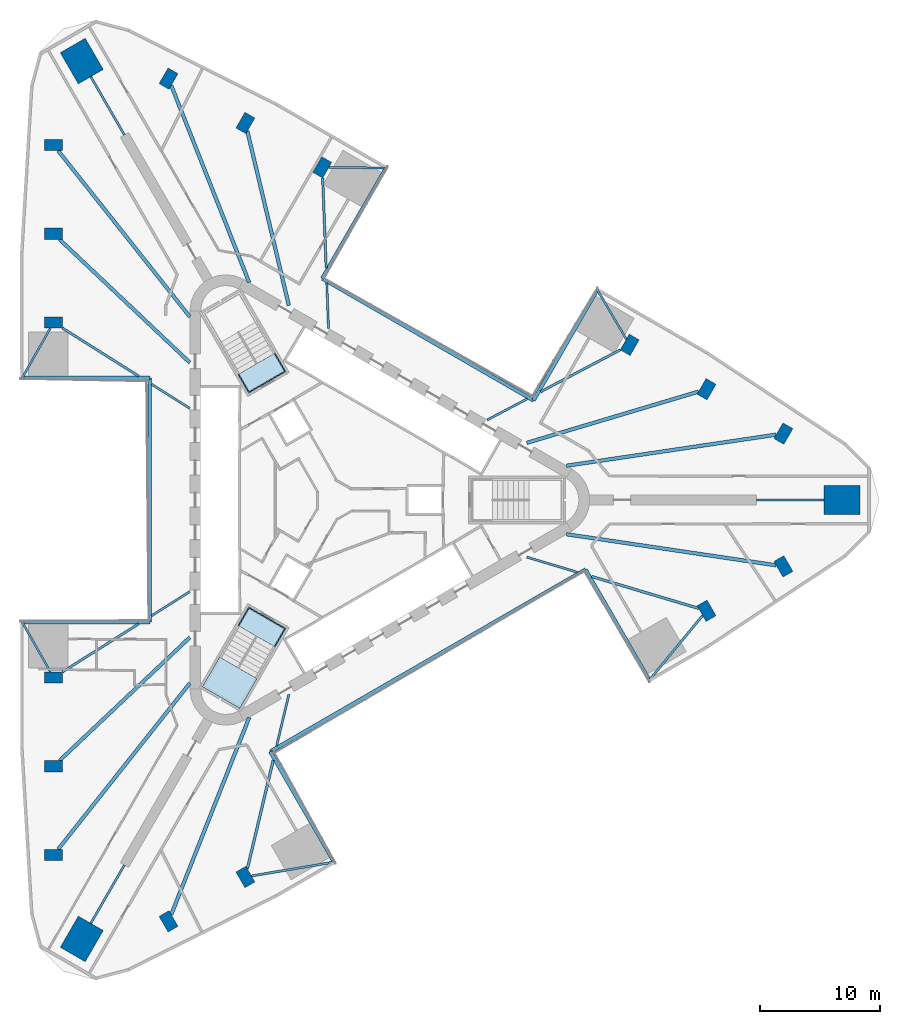
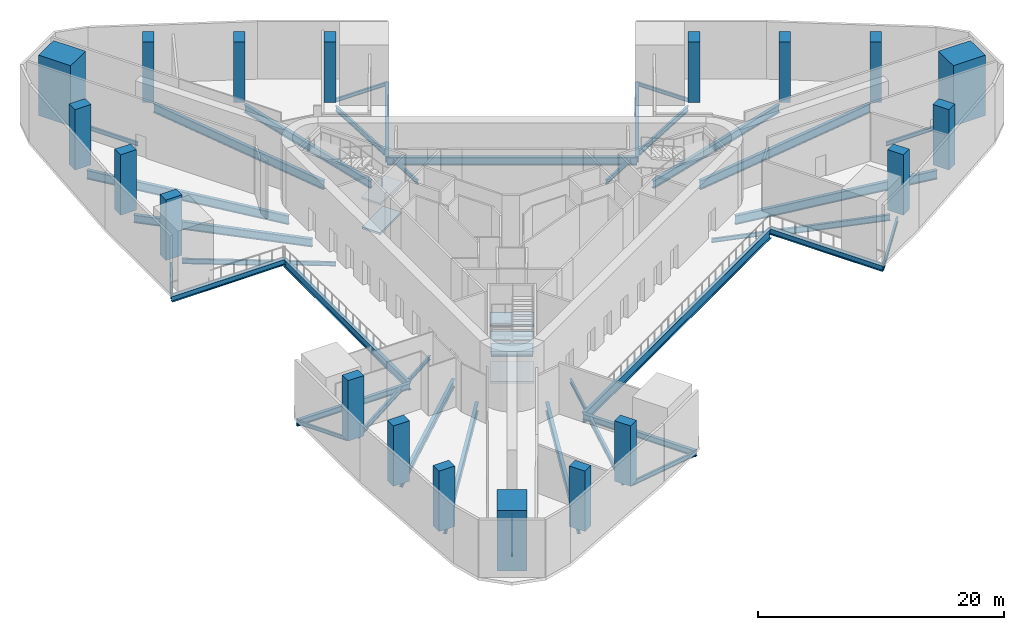
# One storey, part 1 of 11: 40 beams, 19 columns, 6 slabs, 2 elements without a shape of their own.
"""IFC4 building model written with IfcOpenShell, lengths in metres."""

from ifc_helpers import new_model, si_unit, direction, frame, origin, origin_2d, place, context, subcontext, project, spatial, polyline, rectangle, i_section, outline, extrude, material, layer, layer_set, material_profile, profile_set, type_object, element, aggregate, save


model = new_model("IFC4")

# Units and contexts
model_context = context("Model", 3, precision=1e-05, world=origin(), true_north=direction((0.0, 1.0)))
body_context = subcontext(model_context, "Body", "Model", "MODEL_VIEW")
ifc_project = project(units=[si_unit("LENGTHUNIT", "METRE"), si_unit("AREAUNIT", "SQUARE_METRE"), si_unit("VOLUMEUNIT", "CUBIC_METRE"), si_unit("PLANEANGLEUNIT", "RADIAN"), si_unit("MASSUNIT", "GRAM", prefix="KILO")], contexts=[model_context])

# Site, building, storey
site_placement = place(None, origin())
site = spatial("IfcSite", under=ifc_project, at=site_placement, CompositionType="ELEMENT")
building_placement = place(site_placement, origin())
building = spatial("IfcBuilding", under=site, at=building_placement, Name="Tanit Gate Tower", CompositionType="ELEMENT")
storey_placement = place(building_placement, frame((0.0, 0.0, 15.5)))
storey = spatial("IfcBuildingStorey", under=building, at=storey_placement, Name="L02", CompositionType="ELEMENT", Elevation=15.5)

# Columns
ifc_material_1 = material(Name="Concrete C80/95", Category="concrete")
ifc_material_profile_1 = material_profile(ifc_material_1, rectangle(XDim=3.0, YDim=2.39990234375, at=origin_2d()), Name="RC 3000x2400")
ifc_profile_set_1 = profile_set([ifc_material_profile_1], Name="Concrete C80/95")
column_type_1 = type_object("IfcColumnType", Name="MEGA COLUMN 3000x2400 C80/95", PredefinedType="COLUMN", material=ifc_profile_set_1)
for number, where, z_axis, x_axis, name in (
    (1, (42.211181640625, 0.0, 0.0), (0.0, 0.0, 1.0), (1.0, 0.0, 0.0), "MEGA COLUMN"),
    (2, (-21.105712890625, 36.555908203125, 0.0), (0.0, 0.0, 1.0), (-0.5, 0.866025403784, 0.0), "MEGA COLUMN"),
    (3, (-21.105712890625, -36.555908203125, 0.0), (0.0, 0.0, 1.0), (-0.5, -0.866025403784, 0.0), "MEGA COLUMN"),
):
    element("IfcColumn", number, at=place(storey_placement, frame(where, z_axis=z_axis, x_axis=x_axis)), inside=storey, type_object=column_type_1, Name=name, PredefinedType="COLUMN", context=body_context, shape_type="SweptSolid", body=[
        extrude(rectangle(XDim=3.0, YDim=2.39990234375, at=origin_2d()), origin(), (0.0, 0.0, 1.0), 6.0),
    ])
ifc_material_2 = material(Name="Concrete C70/85", Category="concrete")
ifc_material_profile_2 = material_profile(ifc_material_2, rectangle(XDim=1.5, YDim=0.949951171875, at=origin_2d()), Name="RC 1500x950")
ifc_profile_set_2 = profile_set([ifc_material_profile_2], Name="Concrete C70/85")
column_type_2 = type_object("IfcColumnType", Name="PERIMETER COLUMN 1500x950 C70/85", PredefinedType="COLUMN", material=ifc_profile_set_2)
for number, where, z_axis, x_axis, name in (
    (4, (-23.453369140625, 29.56591796875, 0.0), (0.0, 0.0, 1.0), (-1.0, 0.0, 0.0), "PERIMETER COLUMN"),
    (5, (-23.453369140625, 22.17431640625, 0.0), (0.0, 0.0, 1.0), (-1.0, 0.0, 0.0), "PERIMETER COLUMN"),
    (6, (-23.453369140625, 14.782958984375, 0.0), (0.0, 0.0, 1.0), (-1.0, 0.0, 0.0), "PERIMETER COLUMN"),
    (7, (-23.453369140625, -14.782958984375, 0.0), (0.0, 0.0, 1.0), (-1.0, 0.0, 0.0), "PERIMETER COLUMN"),
    (8, (-23.453369140625, -22.17431640625, 0.0), (0.0, 0.0, 1.0), (-1.0, 0.0, 0.0), "PERIMETER COLUMN"),
    (9, (-23.453369140625, -29.56591796875, 0.0), (0.0, 0.0, 1.0), (-1.0, 0.0, 0.0), "PERIMETER COLUMN"),
    (10, (37.331298828125, 5.5283203125, 0.0), (0.0, 0.0, 1.0), (0.5, 0.866025403784, 0.0), "PERIMETER COLUMN"),
    (11, (30.930419921875, 9.22412109375, 0.0), (0.0, 0.0, 1.0), (0.5, 0.866025403784, 0.0), "PERIMETER COLUMN"),
    (12, (24.529052734375, 12.919921875, 0.0), (0.0, 0.0, 1.0), (0.5, 0.866025403784, 0.0), "PERIMETER COLUMN"),
    (13, (-1.07568359375, 27.70263671875, 0.0), (0.0, 0.0, 1.0), (0.5, 0.866025403784, 0.0), "PERIMETER COLUMN"),
    (14, (-7.476806640625, 31.3984375, 0.0), (0.0, 0.0, 1.0), (0.5, 0.866025403784, 0.0), "PERIMETER COLUMN"),
    (15, (-13.8779296875, 35.093994140625, 0.0), (0.0, 0.0, 1.0), (0.5, 0.866025403784, 0.0), "PERIMETER COLUMN"),
    (16, (-13.8779296875, -35.093994140625, 0.0), (0.0, 0.0, 1.0), (0.5, -0.866025403784, 0.0), "PERIMETER COLUMN"),
    (17, (-7.476806640625, -31.3984375, 0.0), (0.0, 0.0, 1.0), (0.5, -0.866025403784, 0.0), "PERIMETER COLUMN"),
    (18, (30.930419921875, -9.22412109375, 0.0), (0.0, 0.0, 1.0), (0.5, -0.866025403784, 0.0), "PERIMETER COLUMN"),
    (19, (37.331298828125, -5.5283203125, 0.0), (0.0, 0.0, 1.0), (0.5, -0.866025403784, 0.0), "PERIMETER COLUMN"),
):
    element("IfcColumn", number, at=place(storey_placement, frame(where, z_axis=z_axis, x_axis=x_axis)), inside=storey, type_object=column_type_2, Name=name, PredefinedType="COLUMN", context=body_context, shape_type="SweptSolid", body=[
        extrude(rectangle(XDim=1.5, YDim=0.949951171875, at=origin_2d()), origin(), (0.0, 0.0, 1.0), 6.0),
    ])

# Beams
ifc_material_3 = material(Name="Steel S355", Category="steel")
ifc_material_profile_3 = material_profile(ifc_material_3, i_section(OverallWidth=0.300048828125, OverallDepth=0.590087890625, WebThickness=0.012939453125, FlangeThickness=0.02490234375, FilletRadius=0.027099609375, at=origin_2d()), Name="HEA 600")
ifc_profile_set_3 = profile_set([ifc_material_profile_3], Name="Steel S355")
beam_type_1 = type_object("IfcBeamType", Name="EDGE BEAM HEA 600 S355", PredefinedType="BEAM", material=ifc_profile_set_3)
beam_1_placement = place(storey_placement, frame((26.16259765625, -14.9951171875, -0.594970703125), z_axis=(-0.500000853759, 0.866024910866, 0.0), x_axis=(-0.866024910866, -0.500000853759, 0.0)))
element("IfcBeam", 20, at=beam_1_placement, inside=storey, type_object=beam_type_1, Name="EDGE BEAM", PredefinedType="BEAM", context=body_context, shape_type="SweptSolid", body=[
    extrude(i_section(OverallWidth=0.300048828125, OverallDepth=0.590087890625, WebThickness=0.012939453125, FlangeThickness=0.02490234375, FilletRadius=0.027099609375, at=origin_2d()), origin(), (0.0, 0.0, 1.0), 10.62744140625),
])
beam_2_placement = place(storey_placement, frame((-5.408935546875, -20.951416015625, -0.594970703125), z_axis=(0.500000139537, -0.866025323223, 0.0), x_axis=(0.866025323223, 0.500000139537, 0.0)))
element("IfcBeam", 21, at=beam_2_placement, inside=storey, type_object=beam_type_1, Name="EDGE BEAM", PredefinedType="BEAM", context=body_context, shape_type="SweptSolid", body=[
    extrude(i_section(OverallWidth=0.300048828125, OverallDepth=0.590087890625, WebThickness=0.012939453125, FlangeThickness=0.02490234375, FilletRadius=0.027099609375, at=origin_2d()), origin(), (0.0, 0.0, 1.0), 10.62939453125),
])
beam_3_placement = place(storey_placement, frame((-26.067626953125, -10.159912109375, -0.594970703125), z_axis=(1.0, 0.0, 0.0), x_axis=(0.0, 1.0, 0.0)))
element("IfcBeam", 22, at=beam_3_placement, inside=storey, type_object=beam_type_1, Name="EDGE BEAM", PredefinedType="BEAM", context=body_context, shape_type="SweptSolid", body=[
    extrude(i_section(OverallWidth=0.300048828125, OverallDepth=0.590087890625, WebThickness=0.012939453125, FlangeThickness=0.02490234375, FilletRadius=0.027099609375, at=origin_2d()), origin(), (0.0, 0.0, 1.0), 10.627685546875),
])
beam_4_placement = place(storey_placement, frame((-15.43994140625, 10.159912109375, -0.594970703125), z_axis=(-1.0, 0.0, 0.0), x_axis=(0.0, -1.0, 0.0)))
element("IfcBeam", 23, at=beam_4_placement, inside=storey, type_object=beam_type_1, Name="EDGE BEAM", PredefinedType="BEAM", context=body_context, shape_type="SweptSolid", body=[
    extrude(i_section(OverallWidth=0.300048828125, OverallDepth=0.590087890625, WebThickness=0.012939453125, FlangeThickness=0.02490234375, FilletRadius=0.027099609375, at=origin_2d()), origin(), (0.0, 0.0, 1.0), 10.629150390625),
])
beam_5_placement = place(storey_placement, frame((4.235107421875, 27.6552734375, -0.594970703125), z_axis=(-0.500008135536, -0.866020706679, 0.0), x_axis=(0.866020706679, -0.500008135536, 0.0)))
element("IfcBeam", 24, at=beam_5_placement, inside=storey, type_object=beam_type_1, Name="EDGE BEAM", PredefinedType="BEAM", context=body_context, shape_type="SweptSolid", body=[
    extrude(i_section(OverallWidth=0.300048828125, OverallDepth=0.590087890625, WebThickness=0.012939453125, FlangeThickness=0.02490234375, FilletRadius=0.027099609375, at=origin_2d()), origin(), (0.0, 0.0, 1.0), 10.627685546875),
])
beam_6_placement = place(storey_placement, frame((16.518798828125, 8.29150390625, -0.594970703125), z_axis=(0.500010085333, 0.866019580936, 0.0), x_axis=(-0.866019580936, 0.500010085333, 0.0)))
element("IfcBeam", 25, at=beam_6_placement, inside=storey, type_object=beam_type_1, Name="EDGE BEAM", PredefinedType="BEAM", context=body_context, shape_type="SweptSolid", body=[
    extrude(i_section(OverallWidth=0.300048828125, OverallDepth=0.590087890625, WebThickness=0.012939453125, FlangeThickness=0.02490234375, FilletRadius=0.027099609375, at=origin_2d()), origin(), (0.0, 0.0, 1.0), 10.629150390625),
])
ifc_material_4 = material(Name="Steel S355", Category="steel")
ifc_material_profile_4 = material_profile(ifc_material_4, i_section(OverallWidth=0.300048828125, OverallDepth=0.7900390625, WebThickness=0.014892578125, FlangeThickness=0.028076171875, FilletRadius=0.030029296875, at=origin_2d()), Name="HEA 800")
ifc_profile_set_4 = profile_set([ifc_material_profile_4], Name="Steel S355")
beam_type_2 = type_object("IfcBeamType", Name="EDGE BEAM HEA 800 S355", PredefinedType="BEAM", material=ifc_profile_set_4)
beam_7_placement = place(storey_placement, frame((-15.43994140625, -10.159912109375, -0.695068359375), z_axis=(0.0, 1.0, 0.0), x_axis=(-1.0, 0.0, 0.0)))
element("IfcBeam", 26, at=beam_7_placement, inside=storey, type_object=beam_type_2, Name="EDGE BEAM", PredefinedType="BEAM", context=body_context, shape_type="SweptSolid", body=[
    extrude(i_section(OverallWidth=0.300048828125, OverallDepth=0.7900390625, WebThickness=0.014892578125, FlangeThickness=0.028076171875, FilletRadius=0.030029296875, at=origin_2d()), origin(), (0.0, 0.0, 1.0), 20.31982421875),
])
beam_8_placement = place(storey_placement, frame((-1.078857421875, 18.451416015625, -0.695068359375), z_axis=(0.866027523318, -0.499996328842, 0.0), x_axis=(0.499996328842, 0.866027523318, 0.0)))
element("IfcBeam", 27, at=beam_8_placement, inside=storey, type_object=beam_type_2, Name="EDGE BEAM", PredefinedType="BEAM", context=body_context, shape_type="SweptSolid", body=[
    extrude(i_section(OverallWidth=0.300048828125, OverallDepth=0.7900390625, WebThickness=0.014892578125, FlangeThickness=0.028076171875, FilletRadius=0.030029296875, at=origin_2d()), origin(), (0.0, 0.0, 1.0), 20.320068359375),
])
ifc_material_5 = material(Name="Steel S355", Category="steel")
ifc_material_profile_5 = material_profile(ifc_material_5, i_section(OverallWidth=0.300048828125, OverallDepth=1.0, WebThickness=0.01904296875, FlangeThickness=0.035888671875, FilletRadius=0.030029296875, at=origin_2d()), Name="HEB 1000")
ifc_profile_set_5 = profile_set([ifc_material_profile_5], Name="Steel S355")
beam_type_3 = type_object("IfcBeamType", Name="EDGE BEAM HEB 1000 S355", PredefinedType="BEAM", material=ifc_profile_set_5)
beam_9_placement = place(storey_placement, frame((20.848876953125, -5.79150390625, -0.800048828125), z_axis=(-0.86602601797, -0.499998936197, 0.0), x_axis=(0.499998936197, -0.86602601797, 0.0)))
element("IfcBeam", 28, at=beam_9_placement, inside=storey, type_object=beam_type_3, Name="EDGE BEAM", PredefinedType="BEAM", context=body_context, shape_type="SweptSolid", body=[
    extrude(i_section(OverallWidth=0.300048828125, OverallDepth=1.0, WebThickness=0.01904296875, FlangeThickness=0.035888671875, FilletRadius=0.030029296875, at=origin_2d()), origin(), (0.0, 0.0, 1.0), 30.31982421875),
])
ifc_material_6 = material(Name="Steel S355", Category="steel")
ifc_material_profile_6 = material_profile(ifc_material_6, i_section(OverallWidth=0.300048828125, OverallDepth=0.7900390625, WebThickness=0.014892578125, FlangeThickness=0.028076171875, FilletRadius=0.030029296875, at=origin_2d()), Name="HEA 800")
ifc_profile_set_6 = profile_set([ifc_material_profile_6], Name="Steel S355")
beam_type_4 = type_object("IfcBeamType", Name="RADIAL GIRDER HEA 800 S355", PredefinedType="BEAM", material=ifc_profile_set_6)
for number, where, z_axis, x_axis, name in (
    (29, (-22.950927734375, -21.69921875, -0.695068359375), (0.726639827007, 0.687018603683, 0.0), (-0.687018603683, 0.726639827007, 0.0), "RADIAL GIRDER"),
    (30, (30.267578125, 9.026611328125, -0.695068359375), (-0.958292632116, -0.285788787801, 0.0), (0.285788787801, -0.958292632116, 0.0), "RADIAL GIRDER"),
):
    element("IfcBeam", number, at=place(storey_placement, frame(where, z_axis=z_axis, x_axis=x_axis)), inside=storey, type_object=beam_type_4, Name=name, PredefinedType="BEAM", context=body_context, shape_type="SweptSolid", body=[
        extrude(i_section(OverallWidth=0.300048828125, OverallDepth=0.7900390625, WebThickness=0.014892578125, FlangeThickness=0.028076171875, FilletRadius=0.030029296875, at=origin_2d()), origin(), (0.0, 0.0, 1.0), 14.93017578125),
    ])
beam_10_placement = place(storey_placement, frame((-7.316650390625, 30.725830078125, -0.695068359375), z_axis=(0.231658845557, -0.972797090495, 0.0), x_axis=(0.972797090495, 0.231658845557, 0.0)))
element("IfcBeam", 31, at=beam_10_placement, inside=storey, type_object=beam_type_4, Name="RADIAL GIRDER", PredefinedType="BEAM", context=body_context, shape_type="SweptSolid", body=[
    extrude(i_section(OverallWidth=0.300048828125, OverallDepth=0.7900390625, WebThickness=0.014892578125, FlangeThickness=0.028076171875, FilletRadius=0.030029296875, at=origin_2d()), origin(), (0.0, 0.0, 1.0), 14.930419921875),
])
beam_11_placement = place(storey_placement, frame((-22.950927734375, 21.69921875, -0.695068359375), z_axis=(0.726639827007, -0.687018603683, 0.0), x_axis=(0.687018603683, 0.726639827007, 0.0)))
element("IfcBeam", 32, at=beam_11_placement, inside=storey, type_object=beam_type_4, Name="RADIAL GIRDER", PredefinedType="BEAM", context=body_context, shape_type="SweptSolid", body=[
    extrude(i_section(OverallWidth=0.300048828125, OverallDepth=0.7900390625, WebThickness=0.014892578125, FlangeThickness=0.028076171875, FilletRadius=0.030029296875, at=origin_2d()), origin(), (0.0, 0.0, 1.0), 14.93017578125),
])
ifc_material_7 = material(Name="Steel S355", Category="steel")
ifc_material_profile_7 = material_profile(ifc_material_7, i_section(OverallWidth=0.300048828125, OverallDepth=0.889892578125, WebThickness=0.01611328125, FlangeThickness=0.030029296875, FilletRadius=0.030029296875, at=origin_2d()), Name="HEA 900")
ifc_profile_set_7 = profile_set([ifc_material_profile_7], Name="Steel S355")
beam_type_5 = type_object("IfcBeamType", Name="RADIAL GIRDER HEA 900 S355", PredefinedType="BEAM", material=ifc_profile_set_7)
for number, where, z_axis, x_axis, name in (
    (33, (-23.07666015625, -29.0908203125, -0.7451171875), (0.621472845829, 0.783435703742, 0.0), (-0.783435703742, 0.621472845829, 0.0), "RADIAL GIRDER"),
    (34, (-13.655029296875, -34.5302734375, -0.7451171875), (0.36773841244, 0.929929276889, 0.0), (-0.929929276889, 0.36773841244, 0.0), "RADIAL GIRDER"),
    (35, (36.731689453125, -5.439697265625, -0.7451171875), (-0.98921177448, 0.146492543254, 0.0), (-0.146492543254, -0.98921177448, 0.0), "RADIAL GIRDER"),
    (36, (36.731689453125, 5.439697265625, -0.7451171875), (-0.98921177448, -0.146492543254, 0.0), (0.146492543254, -0.98921177448, 0.0), "RADIAL GIRDER"),
    (37, (-13.655029296875, 34.5302734375, -0.7451171875), (0.36773841244, -0.929929276889, 0.0), (0.929929276889, 0.36773841244, 0.0), "RADIAL GIRDER"),
    (38, (-23.07666015625, 29.0908203125, -0.7451171875), (0.621472845829, -0.783435703742, 0.0), (0.783435703742, 0.621472845829, 0.0), "RADIAL GIRDER"),
):
    element("IfcBeam", number, at=place(storey_placement, frame(where, z_axis=z_axis, x_axis=x_axis)), inside=storey, type_object=beam_type_5, Name=name, PredefinedType="BEAM", context=body_context, shape_type="SweptSolid", body=[
        extrude(i_section(OverallWidth=0.300048828125, OverallDepth=0.889892578125, WebThickness=0.01611328125, FlangeThickness=0.030029296875, FilletRadius=0.030029296875, at=origin_2d()), origin(), (0.0, 0.0, 1.0), 17.658935546875),
    ])
ifc_material_8 = material(Name="Steel S355", Category="steel")
ifc_material_profile_8 = material_profile(ifc_material_8, i_section(OverallWidth=0.179931640625, OverallDepth=0.39990234375, WebThickness=0.008544921875, FlangeThickness=0.013427734375, FilletRadius=0.02099609375, at=origin_2d()), Name="IPE 400")
ifc_profile_set_8 = profile_set([ifc_material_profile_8], Name="Steel S355")
beam_type_6 = type_object("IfcBeamType", Name="RADIAL GIRDER IPE 400 S355", PredefinedType="BEAM", material=ifc_profile_set_8)
beam_12_placement = place(storey_placement, frame((-15.291748046875, -9.638427734375, -0.5), z_axis=(0.845973226432, 0.53322537464, 0.0), x_axis=(-0.53322537464, 0.845973226432, 0.0)))
element("IfcBeam", 39, at=beam_12_placement, inside=storey, type_object=beam_type_6, Name="RADIAL GIRDER", PredefinedType="BEAM", context=body_context, shape_type="SweptSolid", body=[
    extrude(i_section(OverallWidth=0.179931640625, OverallDepth=0.39990234375, WebThickness=0.008544921875, FlangeThickness=0.013427734375, FilletRadius=0.02099609375, at=origin_2d()), origin(), (0.0, 0.0, 1.0), 3.7705078125),
])
beam_13_placement = place(storey_placement, frame((-20.355712890625, -35.257080078125, -0.5), z_axis=(0.500016430238, 0.866015917575, 0.0), x_axis=(-0.866015917575, 0.500016430238, 0.0)))
element("IfcBeam", 40, at=beam_13_placement, inside=storey, type_object=beam_type_6, Name="RADIAL GIRDER", PredefinedType="BEAM", context=body_context, shape_type="SweptSolid", body=[
    extrude(i_section(OverallWidth=0.179931640625, OverallDepth=0.39990234375, WebThickness=0.008544921875, FlangeThickness=0.013427734375, FilletRadius=0.02099609375, at=origin_2d()), origin(), (0.0, 0.0, 1.0), 5.607177734375),
])
beam_14_placement = place(storey_placement, frame((-4.874755859375, -20.471435546875, -0.5), z_axis=(0.231670659503, 0.972794277083, 0.0), x_axis=(-0.972794277083, 0.231670659503, 0.0)))
element("IfcBeam", 41, at=beam_14_placement, inside=storey, type_object=beam_type_6, Name="RADIAL GIRDER", PredefinedType="BEAM", context=body_context, shape_type="SweptSolid", body=[
    extrude(i_section(OverallWidth=0.179931640625, OverallDepth=0.39990234375, WebThickness=0.008544921875, FlangeThickness=0.013427734375, FilletRadius=0.02099609375, at=origin_2d()), origin(), (0.0, 0.0, 1.0), 4.38916015625),
])
beam_15_placement = place(storey_placement, frame((20.164306640625, -6.013427734375, -0.5), z_axis=(-0.958299792867, 0.285764775631, 0.0), x_axis=(-0.285764775631, -0.958299792867, 0.0)))
element("IfcBeam", 42, at=beam_15_placement, inside=storey, type_object=beam_type_6, Name="RADIAL GIRDER", PredefinedType="BEAM", context=body_context, shape_type="SweptSolid", body=[
    extrude(i_section(OverallWidth=0.179931640625, OverallDepth=0.39990234375, WebThickness=0.008544921875, FlangeThickness=0.013427734375, FilletRadius=0.02099609375, at=origin_2d()), origin(), (0.0, 0.0, 1.0), 4.386962890625),
])
beam_16_placement = place(storey_placement, frame((40.711181640625, 0.0, -0.5), z_axis=(-1.0, 0.0, 0.0), x_axis=(0.0, -1.0, 0.0)))
element("IfcBeam", 43, at=beam_16_placement, inside=storey, type_object=beam_type_6, Name="RADIAL GIRDER", PredefinedType="BEAM", context=body_context, shape_type="SweptSolid", body=[
    extrude(i_section(OverallWidth=0.179931640625, OverallDepth=0.39990234375, WebThickness=0.008544921875, FlangeThickness=0.013427734375, FilletRadius=0.02099609375, at=origin_2d()), origin(), (0.0, 0.0, 1.0), 5.607177734375),
])
for number, where, z_axis, x_axis, name in (
    (44, (15.9912109375, 8.4228515625, -0.5), (-0.884755154197, -0.46605613087, 0.0), (0.46605613087, -0.884755154197, 0.0), "RADIAL GIRDER"),
    (45, (-0.701416015625, 18.060302734375, -0.5), (0.038806328041, -0.99924675076, 0.0), (0.99924675076, 0.038806328041, 0.0), "RADIAL GIRDER"),
):
    element("IfcBeam", number, at=place(storey_placement, frame(where, z_axis=z_axis, x_axis=x_axis)), inside=storey, type_object=beam_type_6, Name=name, PredefinedType="BEAM", context=body_context, shape_type="SweptSolid", body=[
        extrude(i_section(OverallWidth=0.179931640625, OverallDepth=0.39990234375, WebThickness=0.008544921875, FlangeThickness=0.013427734375, FilletRadius=0.02099609375, at=origin_2d()), origin(), (0.0, 0.0, 1.0), 3.7685546875),
    ])
beam_17_placement = place(storey_placement, frame((-20.355712890625, 35.257080078125, -0.5), z_axis=(0.500016430238, -0.866015917575, 0.0), x_axis=(0.866015917575, 0.500016430238, 0.0)))
element("IfcBeam", 46, at=beam_17_placement, inside=storey, type_object=beam_type_6, Name="RADIAL GIRDER", PredefinedType="BEAM", context=body_context, shape_type="SweptSolid", body=[
    extrude(i_section(OverallWidth=0.179931640625, OverallDepth=0.39990234375, WebThickness=0.008544921875, FlangeThickness=0.013427734375, FilletRadius=0.02099609375, at=origin_2d()), origin(), (0.0, 0.0, 1.0), 5.607177734375),
])
beam_18_placement = place(storey_placement, frame((-15.291748046875, 9.638427734375, -0.5), z_axis=(0.845973226432, -0.53322537464, 0.0), x_axis=(0.53322537464, 0.845973226432, 0.0)))
element("IfcBeam", 47, at=beam_18_placement, inside=storey, type_object=beam_type_6, Name="RADIAL GIRDER", PredefinedType="BEAM", context=body_context, shape_type="SweptSolid", body=[
    extrude(i_section(OverallWidth=0.179931640625, OverallDepth=0.39990234375, WebThickness=0.008544921875, FlangeThickness=0.013427734375, FilletRadius=0.02099609375, at=origin_2d()), origin(), (0.0, 0.0, 1.0), 3.7705078125),
])
ifc_material_9 = material(Name="Steel S355", Category="steel")
ifc_material_profile_9 = material_profile(ifc_material_9, i_section(OverallWidth=0.199951171875, OverallDepth=0.5, WebThickness=0.01025390625, FlangeThickness=0.01611328125, FilletRadius=0.02099609375, at=origin_2d()), Name="IPE 500")
ifc_profile_set_9 = profile_set([ifc_material_profile_9], Name="Steel S355")
beam_type_7 = type_object("IfcBeamType", Name="RADIAL GIRDER IPE 500 S355", PredefinedType="BEAM", material=ifc_profile_set_9)
beam_19_placement = place(storey_placement, frame((-22.705078125, -14.311279296875, -0.550048828125), z_axis=(0.845977927567, 0.533217916118, 0.0), x_axis=(-0.533217916118, 0.845977927567, 0.0)))
element("IfcBeam", 48, at=beam_19_placement, inside=storey, type_object=beam_type_7, Name="RADIAL GIRDER", PredefinedType="BEAM", context=body_context, shape_type="SweptSolid", body=[
    extrude(i_section(OverallWidth=0.199951171875, OverallDepth=0.5, WebThickness=0.01025390625, FlangeThickness=0.01611328125, FilletRadius=0.02099609375, at=origin_2d()), origin(), (0.0, 0.0, 1.0), 7.50390625),
])
for number, where, z_axis, x_axis, name in (
    (49, (23.74462890625, 12.506591796875, -0.550048828125), (-0.884769930034, -0.466028079527, 0.0), (0.466028079527, -0.884769930034, 0.0), "RADIAL GIRDER"),
    (50, (-1.041259765625, 26.81689453125, -0.550048828125), (0.038791818871, -0.999247314126, 0.0), (0.999247314126, 0.038791818871, 0.0), "RADIAL GIRDER"),
):
    element("IfcBeam", number, at=place(storey_placement, frame(where, z_axis=z_axis, x_axis=x_axis)), inside=storey, type_object=beam_type_7, Name=name, PredefinedType="BEAM", context=body_context, shape_type="SweptSolid", body=[
        extrude(i_section(OverallWidth=0.199951171875, OverallDepth=0.5, WebThickness=0.01025390625, FlangeThickness=0.01611328125, FilletRadius=0.02099609375, at=origin_2d()), origin(), (0.0, 0.0, 1.0), 7.501953125),
    ])
beam_20_placement = place(storey_placement, frame((-22.705078125, 14.311279296875, -0.550048828125), z_axis=(0.845977927567, -0.533217916118, 0.0), x_axis=(0.533217916118, 0.845977927567, 0.0)))
element("IfcBeam", 51, at=beam_20_placement, inside=storey, type_object=beam_type_7, Name="RADIAL GIRDER", PredefinedType="BEAM", context=body_context, shape_type="SweptSolid", body=[
    extrude(i_section(OverallWidth=0.199951171875, OverallDepth=0.5, WebThickness=0.01025390625, FlangeThickness=0.01611328125, FilletRadius=0.02099609375, at=origin_2d()), origin(), (0.0, 0.0, 1.0), 7.50390625),
])
ifc_material_10 = material(Name="Steel S355", Category="steel")
ifc_material_profile_10 = material_profile(ifc_material_10, i_section(OverallWidth=0.219970703125, OverallDepth=0.60009765625, WebThickness=0.011962890625, FlangeThickness=0.01904296875, FilletRadius=0.02392578125, at=origin_2d()), Name="IPE 600")
ifc_profile_set_10 = profile_set([ifc_material_profile_10], Name="Steel S355")
beam_type_8 = type_object("IfcBeamType", Name="RADIAL GIRDER IPE 600 S355", PredefinedType="BEAM", material=ifc_profile_set_10)
for number, where, z_axis, x_axis, name in (
    (52, (-7.316650390625, -30.725830078125, -0.60009765625), (0.231643004364, 0.97280086273, 0.0), (-0.97280086273, 0.231643004364, 0.0), "RADIAL GIRDER"),
    (53, (30.267578125, -9.026611328125, -0.60009765625), (-0.958288896011, 0.285801315222, 0.0), (-0.285801315222, -0.958288896011, 0.0), "RADIAL GIRDER"),
):
    element("IfcBeam", number, at=place(storey_placement, frame(where, z_axis=z_axis, x_axis=x_axis)), inside=storey, type_object=beam_type_8, Name=name, PredefinedType="BEAM", context=body_context, shape_type="SweptSolid", body=[
        extrude(i_section(OverallWidth=0.219970703125, OverallDepth=0.60009765625, WebThickness=0.011962890625, FlangeThickness=0.01904296875, FilletRadius=0.02392578125, at=origin_2d()), origin(), (0.0, 0.0, 1.0), 9.300048828125),
    ])
ifc_material_11 = material(Name="Steel S355", Category="steel")
ifc_material_profile_11 = material_profile(ifc_material_11, i_section(OverallWidth=0.169921875, OverallDepth=0.360107421875, WebThickness=0.008056640625, FlangeThickness=0.0126953125, FilletRadius=0.01806640625, at=origin_2d()), Name="IPE 360")
ifc_profile_set_11 = profile_set([ifc_material_profile_11], Name="Steel S355")
beam_type_9 = type_object("IfcBeamType", Name="RING BEAM IPE 360 S355", PredefinedType="BEAM", material=ifc_profile_set_11)
beam_21_placement = place(storey_placement, frame((-26.067626953125, -10.159912109375, -0.47998046875), z_axis=(0.49224969988, -0.870454038401, 0.0), x_axis=(0.870454038401, 0.49224969988, 0.0)))
element("IfcBeam", 54, at=beam_21_placement, inside=storey, type_object=beam_type_9, Name="RING BEAM", PredefinedType="BEAM", context=body_context, shape_type="SweptSolid", body=[
    extrude(i_section(OverallWidth=0.169921875, OverallDepth=0.360107421875, WebThickness=0.008056640625, FlangeThickness=0.0126953125, FilletRadius=0.01806640625, at=origin_2d()), origin(), (0.0, 0.0, 1.0), 4.765380859375),
])
beam_22_placement = place(storey_placement, frame((-26.069091796875, 10.159912109375, -0.47998046875), z_axis=(0.492443758084, 0.870344268163, 0.0), x_axis=(-0.870344268163, 0.492443758084, 0.0)))
element("IfcBeam", 55, at=beam_22_placement, inside=storey, type_object=beam_type_9, Name="RING BEAM", PredefinedType="BEAM", context=body_context, shape_type="SweptSolid", body=[
    extrude(i_section(OverallWidth=0.169921875, OverallDepth=0.360107421875, WebThickness=0.008056640625, FlangeThickness=0.0126953125, FilletRadius=0.01806640625, at=origin_2d()), origin(), (0.0, 0.0, 1.0), 4.765869140625),
])
beam_23_placement = place(storey_placement, frame((4.235107421875, 27.6552734375, -0.47998046875), z_axis=(-0.999960265112, 0.008914493602, 0.0), x_axis=(-0.008914493602, -0.999960265112, 0.0)))
element("IfcBeam", 56, at=beam_23_placement, inside=storey, type_object=beam_type_9, Name="RING BEAM", PredefinedType="BEAM", context=body_context, shape_type="SweptSolid", body=[
    extrude(i_section(OverallWidth=0.169921875, OverallDepth=0.360107421875, WebThickness=0.008056640625, FlangeThickness=0.0126953125, FilletRadius=0.01806640625, at=origin_2d()), origin(), (0.0, 0.0, 1.0), 4.765380859375),
])
beam_24_placement = place(storey_placement, frame((21.83349609375, 17.49658203125, -0.47998046875), z_axis=(0.507510326773, -0.861645674404, 0.0), x_axis=(0.861645674404, 0.507510326773, 0.0)))
element("IfcBeam", 57, at=beam_24_placement, inside=storey, type_object=beam_type_9, Name="RING BEAM", PredefinedType="BEAM", context=body_context, shape_type="SweptSolid", body=[
    extrude(i_section(OverallWidth=0.169921875, OverallDepth=0.360107421875, WebThickness=0.008056640625, FlangeThickness=0.0126953125, FilletRadius=0.01806640625, at=origin_2d()), origin(), (0.0, 0.0, 1.0), 4.765869140625),
])
ifc_material_12 = material(Name="Steel S355", Category="steel")
ifc_material_profile_12 = material_profile(ifc_material_12, i_section(OverallWidth=0.18994140625, OverallDepth=0.449951171875, WebThickness=0.009521484375, FlangeThickness=0.0146484375, FilletRadius=0.02099609375, at=origin_2d()), Name="IPE 450")
ifc_profile_set_12 = profile_set([ifc_material_profile_12], Name="Steel S355")
beam_type_10 = type_object("IfcBeamType", Name="RING BEAM IPE 450 S355", PredefinedType="BEAM", material=ifc_profile_set_12)
beam_25_placement = place(storey_placement, frame((26.16259765625, -14.9951171875, -0.52490234375), z_axis=(0.636913089012, 0.770935611478, 0.0), x_axis=(-0.770935611478, 0.636913089012, 0.0)))
element("IfcBeam", 58, at=beam_25_placement, inside=storey, type_object=beam_type_10, Name="RING BEAM", PredefinedType="BEAM", context=body_context, shape_type="SweptSolid", body=[
    extrude(i_section(OverallWidth=0.18994140625, OverallDepth=0.449951171875, WebThickness=0.009521484375, FlangeThickness=0.0146484375, FilletRadius=0.02099609375, at=origin_2d()), origin(), (0.0, 0.0, 1.0), 6.978759765625),
])
beam_26_placement = place(storey_placement, frame((-0.09423828125, -30.15673828125, -0.52490234375), z_axis=(-0.986151777339, -0.165845325684, 0.0), x_axis=(0.165845325684, -0.986151777339, 0.0)))
element("IfcBeam", 59, at=beam_26_placement, inside=storey, type_object=beam_type_10, Name="RING BEAM", PredefinedType="BEAM", context=body_context, shape_type="SweptSolid", body=[
    extrude(i_section(OverallWidth=0.18994140625, OverallDepth=0.449951171875, WebThickness=0.009521484375, FlangeThickness=0.0146484375, FilletRadius=0.02099609375, at=origin_2d()), origin(), (0.0, 0.0, 1.0), 6.979248046875),
])

# Stair, slab
ifc_material_13 = material(Name="Concrete C40/50", Category="concrete")
stair_type = type_object("IfcStairType", Name="INT-STAIR-EXIT", PredefinedType="HALF_TURN_STAIR", material=ifc_material_13)
stair_1_placement = place(storey_placement, origin())
stair_1 = element("IfcStair", 60, at=stair_1_placement, inside=storey, type_object=stair_type, Name="L02 STAIR S2", PredefinedType="HALF_TURN_STAIR")
ifc_material_14 = material(Name="Concrete C40/50", Category="concrete")
ifc_layer = layer(ifc_material_14, 0.199951171875)
ifc_layer_set = layer_set([ifc_layer], Name="INT-STAIR-LANDING")
slab_type = type_object("IfcSlabType", Name="INT-STAIR-LANDING", PredefinedType="LANDING", material=ifc_layer_set)
slab_1_placement = place(storey_placement, frame((0.0, 0.0, 2.800048828125)))
slab_1 = element("IfcSlab", 61, at=slab_1_placement, type_object=slab_type, Name="S2 landing 2", PredefinedType="LANDING", context=body_context, shape_type="SweptSolid", body=[
    extrude(outline(polyline([(-4.091064453125, 10.68603515625), (-4.9931640625, 12.248291015625), (-8.11083984375, 10.448486328125), (-7.208740234375, 8.885986328125), (-4.091064453125, 10.68603515625)])), origin(), (0.0, 0.0, 1.0), 0.199951171875),
])
aggregate(stair_1, [slab_1])

# Slab
slab_2_placement = place(storey_placement, frame((0.0, 0.0, -0.199951171875)))
element("IfcSlab", 62, at=slab_2_placement, inside=storey, type_object=slab_type, Name="S2 floor landing", PredefinedType="LANDING", context=body_context, shape_type="SweptSolid", body=[
    extrude(outline(polyline([(-4.200439453125, 10.71533203125), (-5.0625, 12.20849609375), (-8.04150390625, 10.48828125), (-7.179443359375, 8.995361328125), (-4.200439453125, 10.71533203125)])), origin(), (0.0, 0.0, 1.0), 0.199951171875),
])

# Stair, slabs
stair_2_placement = place(storey_placement, origin())
stair_2 = element("IfcStair", 63, at=stair_2_placement, inside=storey, type_object=stair_type, Name="L02 STAIR S3", PredefinedType="HALF_TURN_STAIR")
slab_3_placement = place(storey_placement, frame((0.0, 0.0, 1.300048828125)))
slab_3 = element("IfcSlab", 64, at=slab_3_placement, type_object=slab_type, Name="S3 landing 1", PredefinedType="LANDING", context=body_context, shape_type="SweptSolid", body=[
    extrude(outline(polyline([(-9.626953125, -13.07421875), (-11.058837890625, -15.554443359375), (-7.941162109375, -17.3544921875), (-6.509033203125, -14.874267578125), (-9.626953125, -13.07421875)])), origin(), (0.0, 0.0, 1.0), 0.199951171875),
])
slab_4_placement = place(storey_placement, frame((0.0, 0.0, 2.800048828125)))
slab_4 = element("IfcSlab", 65, at=slab_4_placement, type_object=slab_type, Name="S3 landing 2", PredefinedType="LANDING", context=body_context, shape_type="SweptSolid", body=[
    extrude(outline(polyline([(-7.208740234375, -8.885986328125), (-8.111328125, -10.44921875), (-4.99365234375, -12.249267578125), (-4.091064453125, -10.68603515625), (-7.208740234375, -8.885986328125)])), origin(), (0.0, 0.0, 1.0), 0.199951171875),
])
slab_5_placement = place(storey_placement, frame((0.0, 0.0, 4.300048828125)))
slab_5 = element("IfcSlab", 66, at=slab_5_placement, type_object=slab_type, Name="S3 landing 3", PredefinedType="LANDING", context=body_context, shape_type="SweptSolid", body=[
    extrude(outline(polyline([(-9.626953125, -13.07421875), (-11.058837890625, -15.554443359375), (-7.941162109375, -17.3544921875), (-6.509033203125, -14.874267578125), (-9.626953125, -13.07421875)])), origin(), (0.0, 0.0, 1.0), 0.199951171875),
])
aggregate(stair_2, [slab_3, slab_4, slab_5])

# Slab
slab_6_placement = place(storey_placement, frame((0.0, 0.0, -0.199951171875)))
element("IfcSlab", 67, at=slab_6_placement, inside=storey, type_object=slab_type, Name="S3 floor landing", PredefinedType="LANDING", context=body_context, shape_type="SweptSolid", body=[
    extrude(outline(polyline([(-7.179443359375, -8.995361328125), (-8.0419921875, -10.4892578125), (-5.06298828125, -12.209228515625), (-4.200439453125, -10.71533203125), (-7.179443359375, -8.995361328125)])), origin(), (0.0, 0.0, 1.0), 0.199951171875),
])

save(model, "model.ifc")
